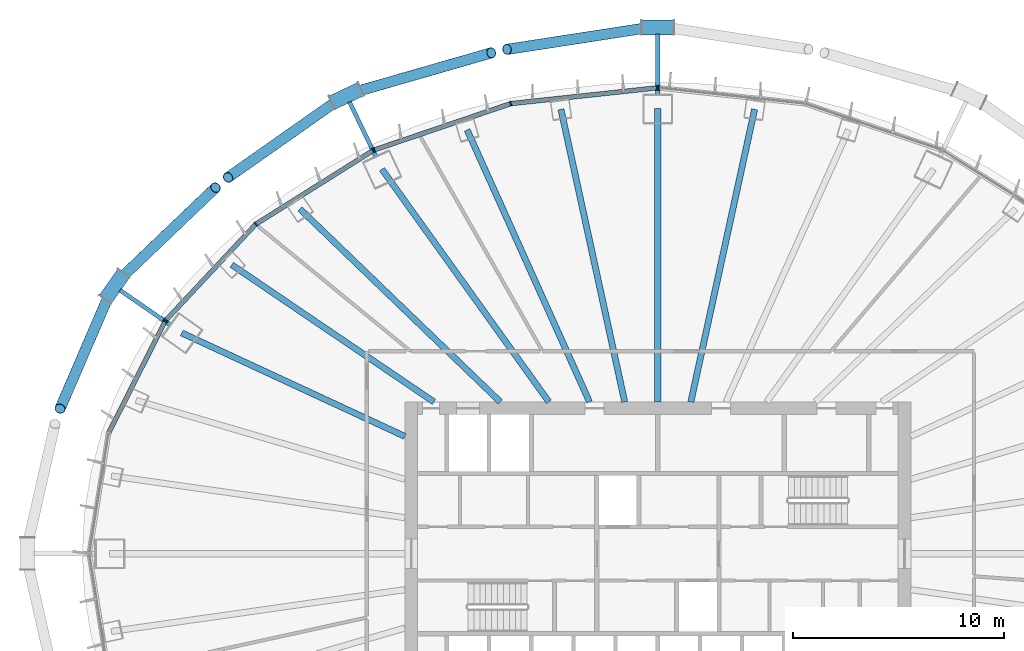
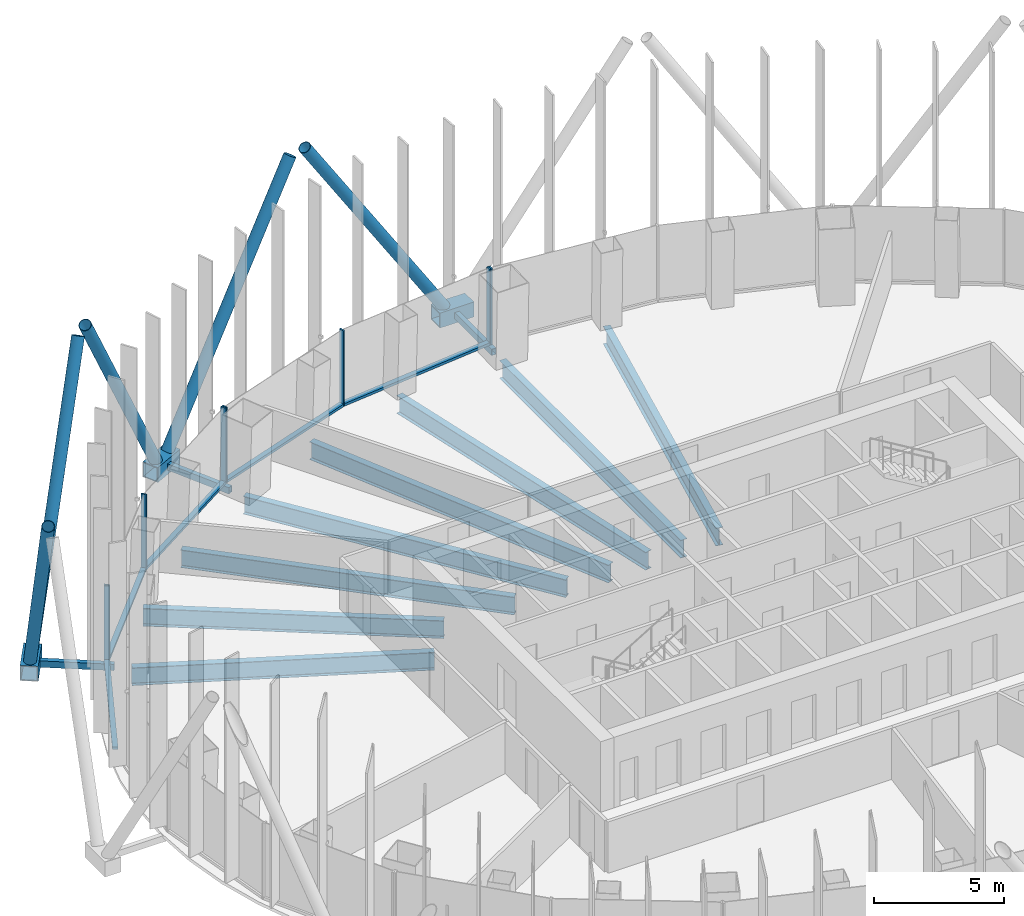
# One storey, part 4 of 21: 24 members, 8 beams, 4 elements without a shape of their own.
"""IFC4 building model written with IfcOpenShell, lengths in metres."""

from ifc_helpers import new_model, si_unit, direction, frame, origin, origin_2d, place, context, subcontext, project, spatial, rectangle, hollow_rectangle, hollow_circle, i_section, extrude, material, layer, layer_set, material_profile, profile_set, type_object, element, aggregate, save


model = new_model("IFC4")

# Units and contexts
model_context = context("Model", 3, precision=1e-05, world=origin(), true_north=direction((0.0, 1.0)))
body_context = subcontext(model_context, "Body", "Model", "MODEL_VIEW")
ifc_project = project(units=[si_unit("LENGTHUNIT", "METRE"), si_unit("AREAUNIT", "SQUARE_METRE"), si_unit("VOLUMEUNIT", "CUBIC_METRE"), si_unit("PLANEANGLEUNIT", "RADIAN"), si_unit("MASSUNIT", "GRAM", prefix="KILO")], contexts=[model_context])

# Site, building, storey
site_placement = place(None, origin())
site = spatial("IfcSite", under=ifc_project, at=site_placement, CompositionType="ELEMENT")
building_placement = place(site_placement, origin())
building = spatial("IfcBuilding", under=site, at=building_placement, Name="Siaravel Broadcast Tower", CompositionType="ELEMENT")
storey_placement = place(building_placement, frame((0.0, 0.0, 70.39990234375)))
storey = spatial("IfcBuildingStorey", under=building, at=storey_placement, Name="L16", CompositionType="ELEMENT", Elevation=70.39990234375)

# Beams
ifc_material_1 = material(Name="Steel S355", Category="steel")
ifc_material_profile_1 = material_profile(ifc_material_1, i_section(OverallWidth=0.291748046875, OverallDepth=0.8349609375, WebThickness=0.013916015625, FlangeThickness=0.018798828125, FilletRadius=0.017822265625, at=origin_2d()))
ifc_profile_set_1 = profile_set([ifc_material_profile_1], Name="Steel S355")
beam_type = type_object("IfcBeamType", Name="BM-UB 838x292x176", PredefinedType="BEAM", material=ifc_profile_set_1)
beam_1_placement = place(storey_placement, frame((4.592529296875, 21.073486328125, -0.5673828125), z_axis=(-0.212930726, -0.977067299, 0.0), x_axis=(0.977067299, -0.212930726, 0.0)))
element("IfcBeam", 1, at=beam_1_placement, inside=storey, type_object=beam_type, Name="Radial beam RB09", PredefinedType="BEAM", context=body_context, shape_type="SweptSolid", body=[
    extrude(i_section(OverallWidth=0.291748046875, OverallDepth=0.8349609375, WebThickness=0.013916015625, FlangeThickness=0.018798828125, FilletRadius=0.017822265625, at=origin_2d()), origin(), (0.0, 0.0, 1.0), 14.19921875),
])
beam_2_placement = place(storey_placement, frame((0.0, 21.1025390625, -0.5673828125), z_axis=(0.0, -1.0, 0.0), x_axis=(1.0, 0.0, 0.0)))
element("IfcBeam", 2, at=beam_2_placement, inside=storey, type_object=beam_type, Name="Radial beam RB10", PredefinedType="BEAM", context=body_context, shape_type="SweptSolid", body=[
    extrude(i_section(OverallWidth=0.291748046875, OverallDepth=0.8349609375, WebThickness=0.013916015625, FlangeThickness=0.018798828125, FilletRadius=0.017822265625, at=origin_2d()), origin(), (0.0, 0.0, 1.0), 13.902587890625),
])
beam_3_placement = place(storey_placement, frame((-4.592529296875, 21.073486328125, -0.5673828125), z_axis=(0.212930726, -0.977067299, 0.0), x_axis=(0.977067299, 0.212930726, 0.0)))
element("IfcBeam", 3, at=beam_3_placement, inside=storey, type_object=beam_type, Name="Radial beam RB11", PredefinedType="BEAM", context=body_context, shape_type="SweptSolid", body=[
    extrude(i_section(OverallWidth=0.291748046875, OverallDepth=0.8349609375, WebThickness=0.013916015625, FlangeThickness=0.018798828125, FilletRadius=0.017822265625, at=origin_2d()), origin(), (0.0, 0.0, 1.0), 14.19921875),
])
beam_4_placement = place(storey_placement, frame((-9.0419921875, 20.096923828125, -0.5673828125), z_axis=(0.410297202, -0.911951866, 0.0), x_axis=(0.911951866, 0.410297202, 0.0)))
element("IfcBeam", 4, at=beam_4_placement, inside=storey, type_object=beam_type, Name="Radial beam RB12", PredefinedType="BEAM", context=body_context, shape_type="SweptSolid", body=[
    extrude(i_section(OverallWidth=0.291748046875, OverallDepth=0.8349609375, WebThickness=0.013916015625, FlangeThickness=0.018798828125, FilletRadius=0.017822265625, at=origin_2d()), origin(), (0.0, 0.0, 1.0), 14.14208984375),
])
beam_5_placement = place(storey_placement, frame((-13.08251953125, 18.233642578125, -0.5673828125), z_axis=(0.582957933, -0.812502338, 0.0), x_axis=(0.812502338, 0.582957933, 0.0)))
element("IfcBeam", 5, at=beam_5_placement, inside=storey, type_object=beam_type, Name="Radial beam RB13", PredefinedType="BEAM", context=body_context, shape_type="SweptSolid", body=[
    extrude(i_section(OverallWidth=0.291748046875, OverallDepth=0.8349609375, WebThickness=0.013916015625, FlangeThickness=0.018798828125, FilletRadius=0.017822265625, at=origin_2d()), origin(), (0.0, 0.0, 1.0), 13.579833984375),
])
beam_6_placement = place(storey_placement, frame((-16.97021484375, 16.348876953125, -0.5673828125), z_axis=(0.72016602, -0.693801775, 0.0), x_axis=(0.693801775, 0.72016602, 0.0)))
element("IfcBeam", 6, at=beam_6_placement, inside=storey, type_object=beam_type, Name="Radial beam RB14", PredefinedType="BEAM", context=body_context, shape_type="SweptSolid", body=[
    extrude(i_section(OverallWidth=0.291748046875, OverallDepth=0.8349609375, WebThickness=0.013916015625, FlangeThickness=0.018798828125, FilletRadius=0.017822265625, at=origin_2d()), origin(), (0.0, 0.0, 1.0), 13.186767578125),
])
beam_7_placement = place(storey_placement, frame((-20.205322265625, 13.69921875, -0.5673828125), z_axis=(0.827695388, -0.561177641, 0.0), x_axis=(0.561177641, 0.827695388, 0.0)))
element("IfcBeam", 7, at=beam_7_placement, inside=storey, type_object=beam_type, Name="Radial beam RB15", PredefinedType="BEAM", context=body_context, shape_type="SweptSolid", body=[
    extrude(i_section(OverallWidth=0.291748046875, OverallDepth=0.8349609375, WebThickness=0.013916015625, FlangeThickness=0.018798828125, FilletRadius=0.017822265625, at=origin_2d()), origin(), (0.0, 0.0, 1.0), 11.58154296875),
])
beam_8_placement = place(storey_placement, frame((-22.5751953125, 10.467529296875, -0.5673828125), z_axis=(0.907224841, -0.420646036, 0.0), x_axis=(0.420646036, 0.907224841, 0.0)))
element("IfcBeam", 8, at=beam_8_placement, inside=storey, type_object=beam_type, Name="Radial beam RB16", PredefinedType="BEAM", context=body_context, shape_type="SweptSolid", body=[
    extrude(i_section(OverallWidth=0.291748046875, OverallDepth=0.8349609375, WebThickness=0.013916015625, FlangeThickness=0.018798828125, FilletRadius=0.017822265625, at=origin_2d()), origin(), (0.0, 0.0, 1.0), 11.65673828125),
])

# Curtain wall, member
ifc_material_2 = material(Name="Aluminium 6063-T6", Category="aluminium")
ifc_layer = layer(ifc_material_2, 0.219970703125)
ifc_layer_set = layer_set([ifc_layer], Name="Aluminium 6063-T6")
curtain_wall_type = type_object("IfcCurtainWallType", Name="Unitised curtain wall, zone 1", PredefinedType="NOTDEFINED", material=ifc_layer_set)
curtain_wall_1_placement = place(storey_placement, origin())
curtain_wall_1 = element("IfcCurtainWall", 9, at=curtain_wall_1_placement, inside=storey, type_object=curtain_wall_type, Name="L16 Unitised curtain wall, zone 1 03", PredefinedType="NOTDEFINED")
ifc_material_profile_2 = material_profile(ifc_material_2, rectangle(XDim=0.219970703125, YDim=0.070068359375, at=origin_2d()))
ifc_profile_set_2 = profile_set([ifc_material_profile_2], Name="Aluminium 6063-T6")
member_type_1 = type_object("IfcMemberType", Name="CW-Z1 mullion", PredefinedType="MULLION", material=ifc_profile_set_2)
member_1_placement = place(storey_placement, frame((0.034912109375, 22.091552734375, 0.0), z_axis=(0.0, 0.0, 1.0), x_axis=(-0.107217679, -0.99423557, 0.0)))
member_1 = element("IfcMember", 10, at=member_1_placement, type_object=member_type_1, Name="CW-Z1 mullion 3", PredefinedType="MULLION", context=body_context, shape_type="SweptSolid", body=[
    extrude(rectangle(XDim=0.219970703125, YDim=0.070068359375, at=origin_2d()), origin(), (0.0, 0.0, 1.0), 3.550048828125),
])
aggregate(curtain_wall_1, [member_1])

# Curtain wall, members
curtain_wall_2_placement = place(storey_placement, origin())
curtain_wall_2 = element("IfcCurtainWall", 11, at=curtain_wall_2_placement, inside=storey, type_object=curtain_wall_type, Name="L16 Unitised curtain wall, zone 1 04", PredefinedType="NOTDEFINED")
member_2_placement = place(storey_placement, frame((-0.034912109375, 22.091552734375, 0.0), z_axis=(0.0, 0.0, 1.0), x_axis=(0.107217679, -0.99423557, 0.0)))
member_2 = element("IfcMember", 12, at=member_2_placement, type_object=member_type_1, Name="CW-Z1 mullion 1", PredefinedType="MULLION", context=body_context, shape_type="SweptSolid", body=[
    extrude(rectangle(XDim=0.219970703125, YDim=0.070068359375, at=origin_2d()), origin(), (0.0, 0.0, 1.0), 3.550048828125),
])
member_3_placement = place(storey_placement, frame((-6.9765625, 21.343017578125, 0.0), z_axis=(0.0, 0.0, 1.0), x_axis=(0.21555841, -0.976490948, 0.0)))
member_3 = element("IfcMember", 13, at=member_3_placement, type_object=member_type_1, Name="CW-Z1 mullion 2", PredefinedType="MULLION", context=body_context, shape_type="SweptSolid", body=[
    extrude(rectangle(XDim=0.219970703125, YDim=0.070068359375, at=origin_2d()), origin(), (0.0, 0.0, 1.0), 3.550048828125),
])
member_4_placement = place(storey_placement, frame((-13.445068359375, 19.148193359375, 0.0), z_axis=(0.0, 0.0, 1.0), x_axis=(0.321301105, -0.946977085, 0.0)))
member_4 = element("IfcMember", 14, at=member_4_placement, type_object=member_type_1, Name="CW-Z1 mullion 3", PredefinedType="MULLION", context=body_context, shape_type="SweptSolid", body=[
    extrude(rectangle(XDim=0.219970703125, YDim=0.070068359375, at=origin_2d()), origin(), (0.0, 0.0, 1.0), 3.550048828125),
])

curtain_wall_3_placement = place(storey_placement, origin())
curtain_wall_3 = element("IfcCurtainWall", 15, at=curtain_wall_3_placement, inside=storey, type_object=curtain_wall_type, Name="L16 Unitised curtain wall, zone 1 05", PredefinedType="NOTDEFINED")
member_5_placement = place(storey_placement, frame((-13.5078125, 19.118408203125, 0.0), z_axis=(0.0, 0.0, 1.0), x_axis=(0.532149761, -0.846650242, 0.0)))
member_5 = element("IfcMember", 16, at=member_5_placement, type_object=member_type_1, Name="CW-Z1 mullion 1", PredefinedType="MULLION", context=body_context, shape_type="SweptSolid", body=[
    extrude(rectangle(XDim=0.219970703125, YDim=0.070068359375, at=origin_2d()), origin(), (0.0, 0.0, 1.0), 3.550048828125),
])
member_6_placement = place(storey_placement, frame((-19.0625, 15.627197265625, 0.0), z_axis=(0.0, 0.0, 1.0), x_axis=(0.63621907, -0.771508454, 0.0)))
member_6 = element("IfcMember", 17, at=member_6_placement, type_object=member_type_1, Name="CW-Z1 mullion 2", PredefinedType="MULLION", context=body_context, shape_type="SweptSolid", body=[
    extrude(rectangle(XDim=0.219970703125, YDim=0.070068359375, at=origin_2d()), origin(), (0.0, 0.0, 1.0), 3.550048828125),
])
member_7_placement = place(storey_placement, frame((-23.32470703125, 11.076904296875, 0.0), z_axis=(0.0, 0.0, 1.0), x_axis=(0.729805583, -0.683654746, 0.0)))
member_7 = element("IfcMember", 18, at=member_7_placement, type_object=member_type_1, Name="CW-Z1 mullion 3", PredefinedType="MULLION", context=body_context, shape_type="SweptSolid", body=[
    extrude(rectangle(XDim=0.219970703125, YDim=0.070068359375, at=origin_2d()), origin(), (0.0, 0.0, 1.0), 3.550048828125),
])

# Curtain wall, member
curtain_wall_4_placement = place(storey_placement, origin())
curtain_wall_4 = element("IfcCurtainWall", 19, at=curtain_wall_4_placement, inside=storey, type_object=curtain_wall_type, Name="L16 Unitised curtain wall, zone 1 06", PredefinedType="NOTDEFINED")
member_8_placement = place(storey_placement, frame((-23.364501953125, 11.020263671875, 0.0), z_axis=(0.0, 0.0, 1.0), x_axis=(0.892392184, -0.451260668, 0.0)))
member_8 = element("IfcMember", 20, at=member_8_placement, type_object=member_type_1, Name="CW-Z1 mullion 1", PredefinedType="MULLION", context=body_context, shape_type="SweptSolid", body=[
    extrude(rectangle(XDim=0.219970703125, YDim=0.070068359375, at=origin_2d()), origin(), (0.0, 0.0, 1.0), 3.550048828125),
])

# Member
ifc_material_profile_3 = material_profile(ifc_material_2, rectangle(XDim=0.219970703125, YDim=0.1201171875, at=origin_2d()))
ifc_profile_set_3 = profile_set([ifc_material_profile_3], Name="Aluminium 6063-T6")
member_type_2 = type_object("IfcMemberType", Name="CW-Z1 transom", PredefinedType="USERDEFINED", material=ifc_profile_set_3)
member_9_placement = place(storey_placement, frame((-0.069580078125, 22.087890625, 0.06005859375), z_axis=(-0.99423354, -0.107236501, 0.0), x_axis=(0.107236501, -0.99423354, 0.0)))
member_9 = element("IfcMember", 21, at=member_9_placement, type_object=member_type_2, Name="CW-Z1 transom 1", ObjectType="TRANSOM", PredefinedType="USERDEFINED", context=body_context, shape_type="SweptSolid", body=[
    extrude(rectangle(XDim=0.219970703125, YDim=0.1201171875, at=origin_2d()), origin(), (0.0, 0.0, 1.0), 6.911865234375),
])

member_10_placement = place(storey_placement, frame((-7.009521484375, 21.331787109375, 0.06005859375), z_axis=(-0.946972422, -0.321314849, 0.0), x_axis=(0.321314849, -0.946972422, 0.0)))
member_10 = element("IfcMember", 22, at=member_10_placement, type_object=member_type_2, Name="CW-Z1 transom 2", ObjectType="TRANSOM", PredefinedType="USERDEFINED", context=body_context, shape_type="SweptSolid", body=[
    extrude(rectangle(XDim=0.219970703125, YDim=0.1201171875, at=origin_2d()), origin(), (0.0, 0.0, 1.0), 6.7607421875),
])

aggregate(curtain_wall_2, [member_2, member_3, member_4, member_9, member_10])

member_11_placement = place(storey_placement, frame((-13.537353515625, 19.099609375, 0.06005859375), z_axis=(-0.846662211, -0.532130717, 0.0), x_axis=(0.532130717, -0.846662211, 0.0)))
member_11 = element("IfcMember", 23, at=member_11_placement, type_object=member_type_2, Name="CW-Z1 transom 1", ObjectType="TRANSOM", PredefinedType="USERDEFINED", context=body_context, shape_type="SweptSolid", body=[
    extrude(rectangle(XDim=0.219970703125, YDim=0.1201171875, at=origin_2d()), origin(), (0.0, 0.0, 1.0), 6.49072265625),
])

member_12_placement = place(storey_placement, frame((-19.08642578125, 15.6015625, 0.06005859375), z_axis=(-0.683640708, -0.729818733, 0.0), x_axis=(0.729818733, -0.683640708, 0.0)))
member_12 = element("IfcMember", 24, at=member_12_placement, type_object=member_type_2, Name="CW-Z1 transom 2", ObjectType="TRANSOM", PredefinedType="USERDEFINED", context=body_context, shape_type="SweptSolid", body=[
    extrude(rectangle(XDim=0.219970703125, YDim=0.1201171875, at=origin_2d()), origin(), (0.0, 0.0, 1.0), 6.16455078125),
])

aggregate(curtain_wall_3, [member_5, member_6, member_7, member_11, member_12])

member_13_placement = place(storey_placement, frame((-23.38037109375, 10.989013671875, 0.06005859375), z_axis=(-0.451253077, -0.892396022, 0.0), x_axis=(0.892396022, -0.451253077, 0.0)))
member_13 = element("IfcMember", 25, at=member_13_placement, type_object=member_type_2, Name="CW-Z1 transom 1", ObjectType="TRANSOM", PredefinedType="USERDEFINED", context=body_context, shape_type="SweptSolid", body=[
    extrude(rectangle(XDim=0.219970703125, YDim=0.1201171875, at=origin_2d()), origin(), (0.0, 0.0, 1.0), 5.867919921875),
])

aggregate(curtain_wall_4, [member_8, member_13])

# Members
ifc_material_3 = material(Name="Steel S460", Category="steel")
ifc_material_profile_4 = material_profile(ifc_material_3, hollow_circle(Radius=0.25390625, WallThickness=0.02001953125, at=origin_2d()))
ifc_profile_set_4 = profile_set([ifc_material_profile_4], Name="Steel S460")
member_type_3 = type_object("IfcMemberType", Name="Diagrid diagonal CHS 508x20", PredefinedType="BRACE", material=ifc_profile_set_4)
member_14_placement = place(storey_placement, frame((-0.37939453125, 24.9599609375, 0.1201171875), z_axis=(-0.541632288, -0.083559319, 0.836452213), x_axis=(0.152469417, -0.988308189, 0.0)))
element("IfcMember", 26, at=member_14_placement, inside=storey, type_object=member_type_3, Name="Diagrid diagonal R07 station 18A", PredefinedType="BRACE", context=body_context, shape_type="SweptSolid", body=[
    extrude(hollow_circle(Radius=0.25390625, WallThickness=0.02001953125, at=origin_2d()), origin(), (0.0, 0.0, 1.0), 12.505126953125),
])
member_15_placement = place(storey_placement, frame((-14.41748046875, 21.876953125, 0.1201171875), z_axis=(0.523174045, 0.150406909, 0.838848425), x_axis=(-0.276297874, 0.96107205, 0.0)))
element("IfcMember", 27, at=member_15_placement, inside=storey, type_object=member_type_3, Name="Diagrid diagonal R07 station 24C", PredefinedType="BRACE", context=body_context, shape_type="SweptSolid", body=[
    extrude(hollow_circle(Radius=0.25390625, WallThickness=0.02001953125, at=origin_2d()), origin(), (0.0, 0.0, 1.0), 12.469482421875),
])
member_16_placement = place(storey_placement, frame((-15.103515625, 21.552490234375, 0.1201171875), z_axis=(-0.429662089, -0.302026707, 0.850981996), x_axis=(0.575075518, -0.818100329, 0.0)))
element("IfcMember", 28, at=member_16_placement, inside=storey, type_object=member_type_3, Name="Diagrid diagonal R07 station 24A", PredefinedType="BRACE", context=body_context, shape_type="SweptSolid", body=[
    extrude(hollow_circle(Radius=0.25390625, WallThickness=0.02001953125, at=origin_2d()), origin(), (0.0, 0.0, 1.0), 12.291748046875),
])
member_17_placement = place(storey_placement, frame((-25.547119140625, 12.988037109375, 0.1201171875), z_axis=(0.37426482, 0.357569586, 0.855610797), x_axis=(-0.690795924, 0.723049785, 0.0)))
element("IfcMember", 29, at=member_17_placement, inside=storey, type_object=member_type_3, Name="Diagrid diagonal R07 station 30C", PredefinedType="BRACE", context=body_context, shape_type="SweptSolid", body=[
    extrude(hollow_circle(Radius=0.25390625, WallThickness=0.02001953125, at=origin_2d()), origin(), (0.0, 0.0, 1.0), 12.22509765625),
])
member_18_placement = place(storey_placement, frame((-25.984375, 12.367919921875, 0.1201171875), z_axis=(-0.196300242, -0.455899612, 0.868113909), x_axis=(0.918476496, -0.395475569, 0.0)))
element("IfcMember", 30, at=member_18_placement, inside=storey, type_object=member_type_3, Name="Diagrid diagonal R07 station 30A", PredefinedType="BRACE", context=body_context, shape_type="SweptSolid", body=[
    extrude(hollow_circle(Radius=0.25390625, WallThickness=0.02001953125, at=origin_2d()), origin(), (0.0, 0.0, 1.0), 12.049072265625),
])
ifc_material_profile_5 = material_profile(ifc_material_3, hollow_rectangle(XDim=0.699951171875, YDim=0.699951171875, WallThickness=0.0400390625, at=origin_2d()))
ifc_profile_set_5 = profile_set([ifc_material_profile_5], Name="Steel S460")
member_type_4 = type_object("IfcMemberType", Name="Diagrid node BOX 700x700x40", PredefinedType="USERDEFINED", material=ifc_profile_set_5)
for number, where, z_axis, x_axis, name in (
    (31, (0.75341796875, 24.9599609375, -0.199951171875), (-1.0, 0.0, 0.0), (0.0, -1.0, 0.0), "Diagrid node R07 station 18"),
    (32, (-14.079345703125, 22.036865234375, -0.199951171875), (-0.903968656, -0.427598724, 0.0), (0.427598724, -0.903968656, 0.0), "Diagrid node R07 station 24"),
    (33, (-25.331787109375, 13.293701171875, -0.199951171875), (-0.576015054, -0.817439085, 0.0), (0.817439085, -0.576015054, 0.0), "Diagrid node R07 station 30"),
):
    element("IfcMember", number, at=place(storey_placement, frame(where, z_axis=z_axis, x_axis=x_axis)), inside=storey, type_object=member_type_4, Name=name, ObjectType="DIAGRID NODE", PredefinedType="USERDEFINED", context=body_context, shape_type="SweptSolid", body=[
        extrude(hollow_rectangle(XDim=0.699951171875, YDim=0.699951171875, WallThickness=0.0400390625, at=origin_2d()), origin(), (0.0, 0.0, 1.0), 1.5068359375),
    ])
ifc_material_profile_6 = material_profile(ifc_material_3, hollow_rectangle(XDim=0.199951171875, YDim=0.300048828125, WallThickness=0.012451171875, at=origin_2d()))
ifc_profile_set_6 = profile_set([ifc_material_profile_6], Name="Steel S460")
member_type_5 = type_object("IfcMemberType", Name="Diagrid node arm RHS 300x200x12.5", PredefinedType="STRUT", material=ifc_profile_set_6)
member_19_placement = place(storey_placement, frame((0.0, 21.772705078125, -0.199951171875), z_axis=(0.0, 1.0, 0.0), x_axis=(-1.0, 0.0, 0.0)))
element("IfcMember", 34, at=member_19_placement, inside=storey, type_object=member_type_5, Name="Node arm R07 station 18", PredefinedType="STRUT", context=body_context, shape_type="SweptSolid", body=[
    extrude(hollow_rectangle(XDim=0.199951171875, YDim=0.300048828125, WallThickness=0.012451171875, at=origin_2d()), origin(), (0.0, 0.0, 1.0), 2.8671875),
])
member_20_placement = place(storey_placement, frame((-13.37353515625, 18.837158203125, -0.199951171875), z_axis=(-0.434188426, 0.900822075, 0.0), x_axis=(-0.900822075, -0.434188426, 0.0)))
element("IfcMember", 35, at=member_20_placement, inside=storey, type_object=member_type_5, Name="Node arm R07 station 24", PredefinedType="STRUT", context=body_context, shape_type="SweptSolid", body=[
    extrude(hollow_rectangle(XDim=0.199951171875, YDim=0.300048828125, WallThickness=0.012451171875, at=origin_2d()), origin(), (0.0, 0.0, 1.0), 2.87451171875),
])
member_21_placement = place(storey_placement, frame((-23.1259765625, 10.84912109375, -0.199951171875), z_axis=(-0.822018884, 0.569460231, 0.0), x_axis=(-0.569460231, -0.822018884, 0.0)))
element("IfcMember", 36, at=member_21_placement, inside=storey, type_object=member_type_5, Name="Node arm R07 station 30", PredefinedType="STRUT", context=body_context, shape_type="SweptSolid", body=[
    extrude(hollow_rectangle(XDim=0.199951171875, YDim=0.300048828125, WallThickness=0.012451171875, at=origin_2d()), origin(), (0.0, 0.0, 1.0), 2.891357421875),
])

save(model, "model.ifc")
